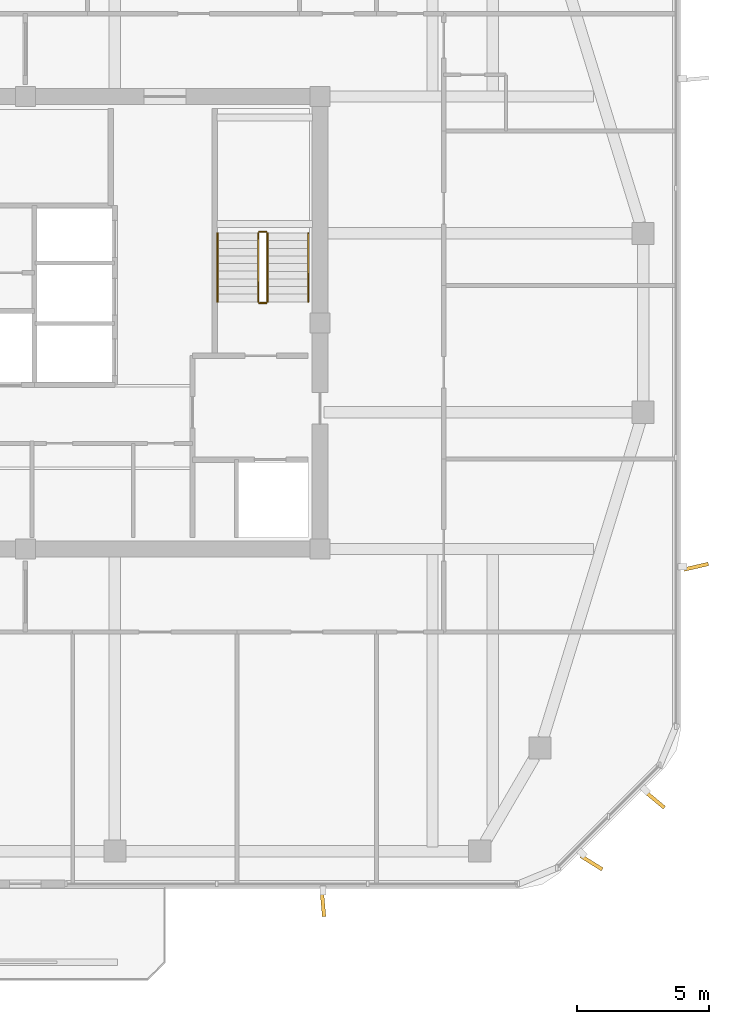
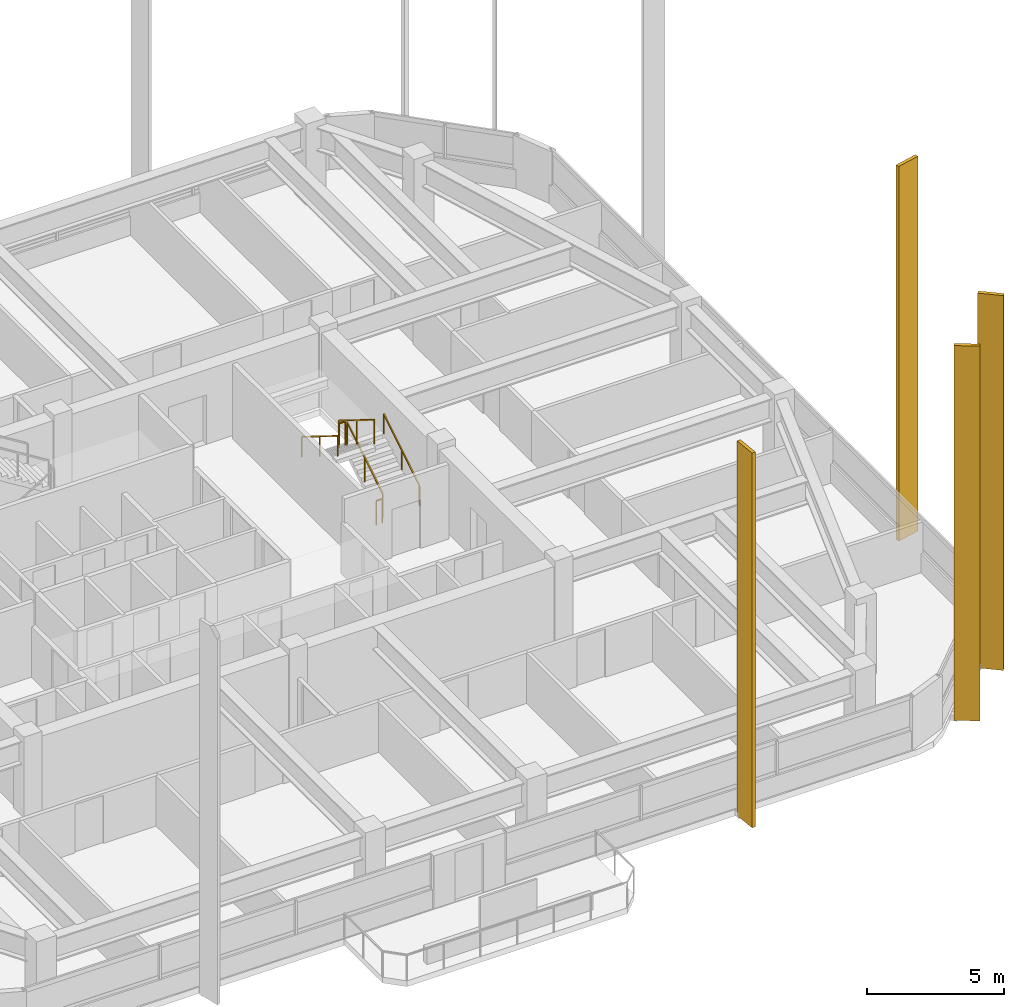
# One storey, part 12 of 13: 6 railings, 4 shading devices.
"""IFC4 building model written with IfcOpenShell, lengths in metres."""

from ifc_helpers import new_model, si_unit, derived_unit, direction, frame, origin, origin_2d, place, context, subcontext, project, spatial, rectangle, extrude, material, type_object, element, save


model = new_model("IFC4")

# Units and contexts
model_context = context("Model", 3, precision=1e-05, world=origin(), true_north=direction((0.0, 1.0)))
body_context = subcontext(model_context, "Body", "Model", "MODEL_VIEW")
ifc_project = project(units=[si_unit("LENGTHUNIT", "METRE"), si_unit("AREAUNIT", "SQUARE_METRE"), si_unit("VOLUMEUNIT", "CUBIC_METRE"), si_unit("PLANEANGLEUNIT", "RADIAN"), si_unit("MASSUNIT", "GRAM", prefix="KILO"), derived_unit("THERMALTRANSMITTANCEUNIT", [(si_unit("POWERUNIT", "WATT"), 1), (si_unit("LENGTHUNIT", "METRE"), -2), (si_unit("THERMODYNAMICTEMPERATUREUNIT", "KELVIN"), -1)])], contexts=[model_context])

# Site, building, storey
site_placement = place(None, origin())
site = spatial("IfcSite", under=ifc_project, at=site_placement, CompositionType="ELEMENT")
building_placement = place(site_placement, origin())
building = spatial("IfcBuilding", under=site, at=building_placement, Name="Koralith Skygarden Medical Center", CompositionType="ELEMENT")
storey_placement = place(building_placement, frame((0.0, 0.0, 282.419921875)))
storey = spatial("IfcBuildingStorey", under=building, at=storey_placement, Name="L73", CompositionType="ELEMENT", Elevation=282.419921875)

# Shading devices
ifc_material_1 = material(Name="Aluminium 6063-T6", Category="aluminium")
shading_device_type = type_object("IfcShadingDeviceType", Name="Limestone-Clad Solar Storm Fin 950", PredefinedType="USERDEFINED", material=ifc_material_1)
for number, where, z_axis, x_axis, name in (
    (1, (48.31005859375, 3.804931640625, -0.199951171875), (0.0, 0.0, 1.0), (0.090493527621, -0.995897043604, 0.0), "L73 S Harmonic Solar Storm Fin 2"),
    (2, (58.52197265625, 5.3798828125, -0.199951171875), (0.0, 0.0, 1.0), (0.848103584522, -0.529830453939, 0.0), "L73 SE Harmonic Solar Storm Fin 1"),
    (3, (60.919921875, 7.778076171875, -0.199951171875), (0.0, 0.0, 1.0), (0.76819413993, -0.640216965862, 0.0), "L73 SE Harmonic Solar Storm Fin 2"),
    (4, (62.4951171875, 16.6298828125, -0.199951171875), (0.0, 0.0, 1.0), (0.974346502623, 0.225053088905, 0.0), "L73 E Harmonic Solar Storm Fin 1"),
):
    element("IfcShadingDevice", number, at=place(storey_placement, frame(where, z_axis=z_axis, x_axis=x_axis)), inside=storey, type_object=shading_device_type, Name=name, ObjectType="SOLAR FIN", PredefinedType="USERDEFINED", context=body_context, shape_type="SweptSolid", body=[
        extrude(rectangle(XDim=0.949951171875, YDim=0.139892578125, at=origin_2d()), origin(), (0.0, 0.0, 1.0), 16.7099609375),
    ])

# Railings
ifc_material_2 = material(Name="Steel ASTM A500 Grade C", Category="steel")
railing_type_1 = type_object("IfcRailingType", Name="Stair Flight Tubular Handrail 920", PredefinedType="HANDRAIL", material=ifc_material_2)
railing_1_placement = place(storey_placement, frame((47.75, 26.699951171875, 0.18017578125)))
element("IfcRailing", 5, at=railing_1_placement, inside=storey, type_object=railing_type_1, Name="L73 ST2 stair handrail 1", PredefinedType="HANDRAIL", context=body_context, shape_type="SweptSolid", body=[
    extrude(rectangle(XDim=0.050048828125, YDim=0.050048828125, at=origin_2d()), frame((0.0, 0.001708984375, 0.89599609375), z_axis=(0.0, 0.849668407637, 0.527317358963), x_axis=(-1.0, 0.0, 0.0)), (0.0, 0.0, 1.0), 3.06787109375),
    extrude(rectangle(XDim=0.0419921875, YDim=0.0419921875, at=origin_2d()), origin(), (0.0, 0.0, 1.0), 0.867919921875),
    extrude(rectangle(XDim=0.0419921875, YDim=0.0419921875, at=origin_2d()), frame((0.0, 1.30517578125, 0.81005859375)), (0.0, 0.0, 1.0), 0.867919921875),
    extrude(rectangle(XDim=0.0419921875, YDim=0.0419921875, at=origin_2d()), frame((0.0, 2.610107421875, 1.619873046875)), (0.0, 0.0, 1.0), 0.867919921875),
])
railing_2_placement = place(storey_placement, frame((44.300048828125, 29.31005859375, 1.97998046875)))
element("IfcRailing", 6, at=railing_2_placement, inside=storey, type_object=railing_type_1, Name="L73 ST2 stair handrail 2", PredefinedType="HANDRAIL", context=body_context, shape_type="SweptSolid", body=[
    extrude(rectangle(XDim=0.050048828125, YDim=0.050048828125, at=origin_2d()), frame((0.0, -0.001708984375, 0.89599609375), z_axis=(0.0, -0.849632798774, 0.527374731332), x_axis=(1.0, 0.0, 0.0)), (0.0, 0.0, 1.0), 3.068115234375),
    extrude(rectangle(XDim=0.0419921875, YDim=0.0419921875, at=origin_2d()), origin(), (0.0, 0.0, 1.0), 0.867919921875),
    extrude(rectangle(XDim=0.0419921875, YDim=0.0419921875, at=origin_2d()), frame((0.0, -1.30517578125, 0.81005859375)), (0.0, 0.0, 1.0), 0.867919921875),
    extrude(rectangle(XDim=0.0419921875, YDim=0.0419921875, at=origin_2d()), frame((0.0, -2.610107421875, 1.6201171875)), (0.0, 0.0, 1.0), 0.867919921875),
])
railing_type_2 = type_object("IfcRailingType", Name="Stair Well Safety Guardrail 1100", PredefinedType="GUARDRAIL", material=ifc_material_2)
railing_3_placement = place(storey_placement, frame((46.199951171875, 26.699951171875, 0.18017578125)))
element("IfcRailing", 7, at=railing_3_placement, inside=storey, type_object=railing_type_2, Name="L73 ST2 stair guard 1", PredefinedType="GUARDRAIL", context=body_context, shape_type="SweptSolid", body=[
    extrude(rectangle(XDim=0.050048828125, YDim=0.050048828125, at=origin_2d()), frame((0.0, 0.001708984375, 1.076171875), z_axis=(0.0, 0.849668407637, 0.527317358963), x_axis=(-1.0, 0.0, 0.0)), (0.0, 0.0, 1.0), 3.06787109375),
    extrude(rectangle(XDim=0.0419921875, YDim=0.0419921875, at=origin_2d()), origin(), (0.0, 0.0, 1.0), 1.048095703125),
    extrude(rectangle(XDim=0.0419921875, YDim=0.0419921875, at=origin_2d()), frame((0.0, 1.30517578125, 0.81005859375)), (0.0, 0.0, 1.0), 1.048095703125),
    extrude(rectangle(XDim=0.0419921875, YDim=0.0419921875, at=origin_2d()), frame((0.0, 2.610107421875, 1.619873046875)), (0.0, 0.0, 1.0), 1.048095703125),
])
railing_4_placement = place(storey_placement, frame((46.14990234375, 29.360107421875, 1.800048828125)))
element("IfcRailing", 8, at=railing_4_placement, inside=storey, type_object=railing_type_2, Name="L73 ST2 stair guard 2", PredefinedType="GUARDRAIL", context=body_context, shape_type="SweptSolid", body=[
    extrude(rectangle(XDim=0.050048828125, YDim=0.050048828125, at=origin_2d()), frame((-0.001953125, 0.0, 1.0751953125), z_axis=(-1.0, 0.0, 0.0), x_axis=(0.0, -1.0, 0.0)), (0.0, 0.0, 1.0), 0.24609375),
    extrude(rectangle(XDim=0.0419921875, YDim=0.0419921875, at=origin_2d()), origin(), (0.0, 0.0, 1.0), 1.048095703125),
    extrude(rectangle(XDim=0.0419921875, YDim=0.0419921875, at=origin_2d()), frame((-0.25, 0.0, 0.0)), (0.0, 0.0, 1.0), 1.048095703125),
])
railing_5_placement = place(storey_placement, frame((45.85009765625, 29.31005859375, 1.97998046875)))
element("IfcRailing", 9, at=railing_5_placement, inside=storey, type_object=railing_type_2, Name="L73 ST2 stair guard 3", PredefinedType="GUARDRAIL", context=body_context, shape_type="SweptSolid", body=[
    extrude(rectangle(XDim=0.050048828125, YDim=0.050048828125, at=origin_2d()), frame((0.0, -0.001708984375, 1.076171875), z_axis=(0.0, -0.849632798774, 0.527374731332), x_axis=(1.0, 0.0, 0.0)), (0.0, 0.0, 1.0), 3.068115234375),
    extrude(rectangle(XDim=0.0419921875, YDim=0.0419921875, at=origin_2d()), origin(), (0.0, 0.0, 1.0), 1.048095703125),
    extrude(rectangle(XDim=0.0419921875, YDim=0.0419921875, at=origin_2d()), frame((0.0, -1.30517578125, 0.81005859375)), (0.0, 0.0, 1.0), 1.048095703125),
    extrude(rectangle(XDim=0.0419921875, YDim=0.0419921875, at=origin_2d()), frame((0.0, -2.610107421875, 1.6201171875)), (0.0, 0.0, 1.0), 1.048095703125),
])
railing_6_placement = place(storey_placement, frame((46.14990234375, 26.64990234375, 0.0)))
element("IfcRailing", 10, at=railing_6_placement, inside=storey, type_object=railing_type_2, Name="L73 ST2 stair guard 4", PredefinedType="GUARDRAIL", context=body_context, shape_type="SweptSolid", body=[
    extrude(rectangle(XDim=0.050048828125, YDim=0.050048828125, at=origin_2d()), frame((-0.001953125, 0.0, 1.0751953125), z_axis=(-1.0, 0.0, 0.0), x_axis=(0.0, -1.0, 0.0)), (0.0, 0.0, 1.0), 0.24609375),
    extrude(rectangle(XDim=0.0419921875, YDim=0.0419921875, at=origin_2d()), origin(), (0.0, 0.0, 1.0), 1.048095703125),
    extrude(rectangle(XDim=0.0419921875, YDim=0.0419921875, at=origin_2d()), frame((-0.25, 0.0, 0.0)), (0.0, 0.0, 1.0), 1.048095703125),
])

save(model, "model.ifc")
